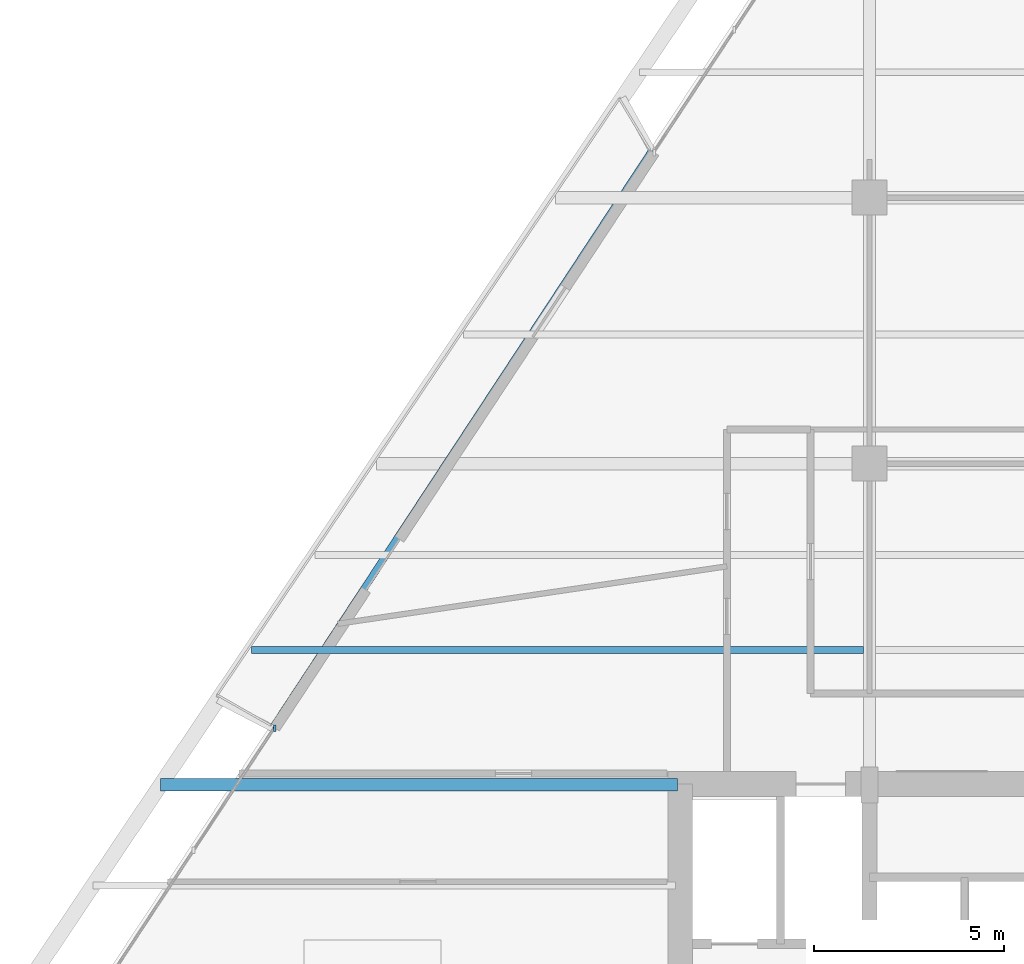
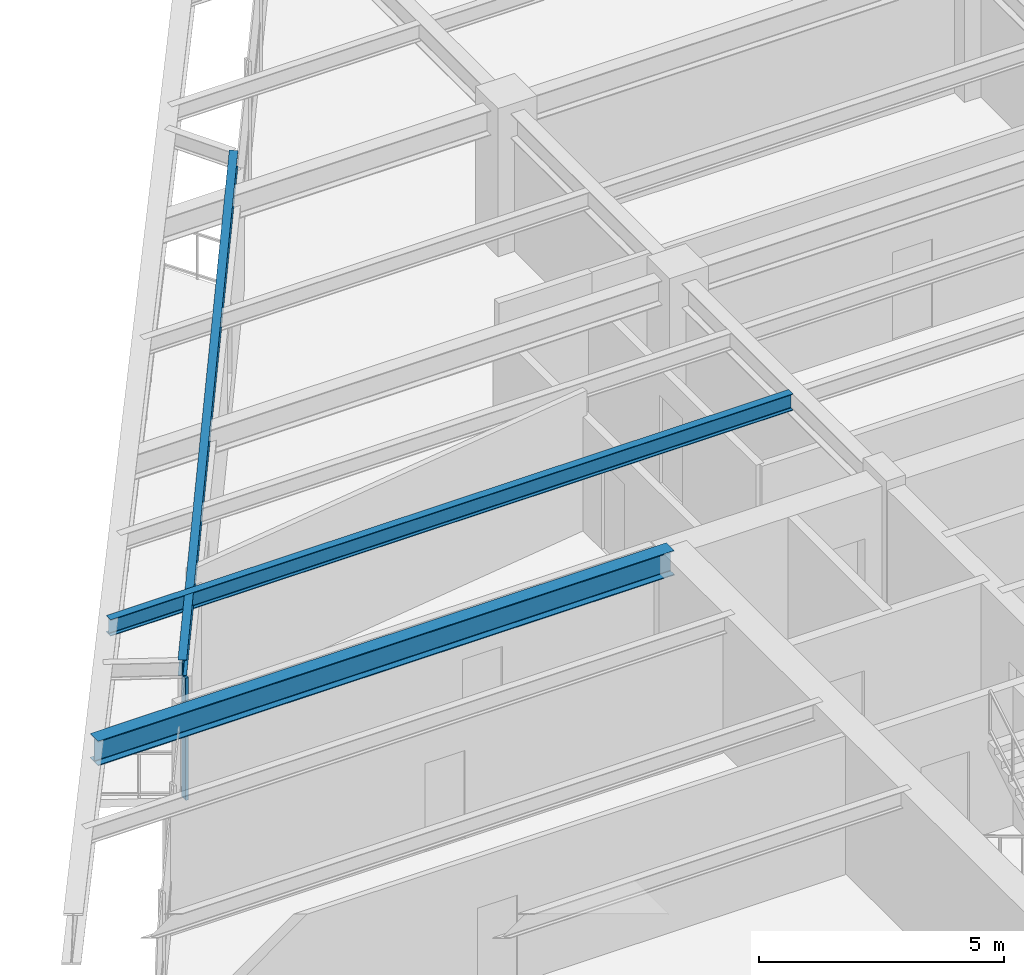
# One storey, part 4 of 14: 3 beams, 1 member, 1 element without a shape of its own.
"""IFC4 building model written with IfcOpenShell, lengths in metres."""

from ifc_helpers import new_model, si_unit, direction, frame, origin, origin_2d, place, context, subcontext, project, spatial, rectangle, i_section, extrude, source, transform, mapped, material, material_profile, profile_set, type_object, type_shapes, element, aggregate, save


model = new_model("IFC4")

# Units and contexts
model_context = context("Model", 3, precision=1e-05, world=origin(), true_north=direction((0.0, 1.0)))
body_context = subcontext(model_context, "Body", "Model", "MODEL_VIEW")
ifc_project = project(units=[si_unit("LENGTHUNIT", "METRE"), si_unit("AREAUNIT", "SQUARE_METRE"), si_unit("VOLUMEUNIT", "CUBIC_METRE"), si_unit("PLANEANGLEUNIT", "RADIAN"), si_unit("MASSUNIT", "GRAM", prefix="KILO")], contexts=[model_context])

# Site, building, storey
site_placement = place(None, origin())
site = spatial("IfcSite", under=ifc_project, at=site_placement, CompositionType="ELEMENT")
building_placement = place(site_placement, origin())
building = spatial("IfcBuilding", under=site, at=building_placement, Name="Varnakhor Terracotta Tower", CompositionType="ELEMENT")
storey_placement = place(building_placement, frame((0.0, 0.0, 125.60009765625)))
storey = spatial("IfcBuildingStorey", under=building, at=storey_placement, Name="L31", CompositionType="ELEMENT", Elevation=125.60009765625)

# Beams
ifc_material_1 = material(Name="Steel S355", Category="steel")
ifc_material_profile_1 = material_profile(ifc_material_1, i_section(OverallWidth=0.179931640625, OverallDepth=0.39990234375, WebThickness=0.008544921875, FlangeThickness=0.013427734375, FilletRadius=0.01806640625, at=origin_2d()), Name="IPE400")
ifc_profile_set_1 = profile_set([ifc_material_profile_1], Name="Steel S355")
beam_type_1 = type_object("IfcBeamType", Name="JST-IPE400", PredefinedType="JOIST", material=ifc_profile_set_1)
shared_shape_1 = source(origin(), body_context, "Body", "SweptSolid", [
    extrude(i_section(OverallWidth=0.179931640625, OverallDepth=0.39990234375, WebThickness=0.008544921875, FlangeThickness=0.013427734375, FilletRadius=0.01806640625, at=origin_2d()), origin(), (0.0, 0.0, 1.0), 18.189697265625),
])
beam_1_placement = place(storey_placement, frame((-11.218994140625, 32.742431640625, 3.27001953125), z_axis=(-0.549184046642, -0.835701431681, 0.0), x_axis=(0.835701431681, -0.549184046642, 0.0)))
element("IfcBeam", 1, at=beam_1_placement, inside=storey, type_object=beam_type_1, Name="L31 Loggia Edge Beam 2", PredefinedType="JOIST", context=body_context, shape_type="MappedRepresentation", body=[
    mapped(shared_shape_1, transform((0.0, 0.0, 0.0), scale=1.0)),
])
ifc_material_profile_2 = material_profile(ifc_material_1, i_section(OverallWidth=0.324951171875, OverallDepth=0.615966796875, WebThickness=0.013916015625, FlangeThickness=0.02197265625, FilletRadius=0.01806640625, at=origin_2d()), Name="W24X117")
ifc_profile_set_2 = profile_set([ifc_material_profile_2], Name="Steel S355")
beam_type_2 = type_object("IfcBeamType", Name="BM-W24X117", PredefinedType="BEAM", material=ifc_profile_set_2)
shared_shape_2 = source(origin(), body_context, "Body", "SweptSolid", [
    extrude(i_section(OverallWidth=0.324951171875, OverallDepth=0.615966796875, WebThickness=0.013916015625, FlangeThickness=0.02197265625, FilletRadius=0.01806640625, at=origin_2d()), origin(), (0.0, 0.0, 1.0), 13.5986328125),
])
beam_2_placement = place(storey_placement, frame((-24.148681640625, 16.050048828125, 3.161865234375), z_axis=(1.0, 0.0, 0.0), x_axis=(0.0, 1.0, 0.0)))
element("IfcBeam", 2, at=beam_2_placement, inside=storey, type_object=beam_type_2, Name="L31 Wing Girder W", PredefinedType="BEAM", context=body_context, shape_type="MappedRepresentation", body=[
    mapped(shared_shape_2, transform((0.0, 0.0, 0.0), scale=1.0)),
])
ifc_material_profile_3 = material_profile(ifc_material_1, i_section(OverallWidth=0.179931640625, OverallDepth=0.4130859375, WebThickness=0.009765625, FlangeThickness=0.01611328125, FilletRadius=0.01806640625, at=origin_2d()), Name="W16X50")
ifc_profile_set_3 = profile_set([ifc_material_profile_3], Name="Steel S355")
beam_type_3 = type_object("IfcBeamType", Name="JST-W16X50", PredefinedType="JOIST", material=ifc_profile_set_3)
shared_shape_3 = source(origin(), body_context, "Body", "SweptSolid", [
    extrude(i_section(OverallWidth=0.179931640625, OverallDepth=0.4130859375, WebThickness=0.009765625, FlangeThickness=0.01611328125, FilletRadius=0.01806640625, at=origin_2d()), origin(), (0.0, 0.0, 1.0), 16.104248046875),
])
beam_3_placement = place(storey_placement, frame((-21.7626953125, 19.60009765625, 3.263427734375), z_axis=(1.0, 0.0, 0.0), x_axis=(0.0, 1.0, 0.0)))
element("IfcBeam", 3, at=beam_3_placement, inside=storey, type_object=beam_type_3, Name="L31 Composite Floor Joist 4-1", PredefinedType="JOIST", context=body_context, shape_type="MappedRepresentation", body=[
    mapped(shared_shape_3, transform((0.0, 0.0, 0.0), scale=1.0)),
])

# Curtain wall, member
ifc_material_2 = material(Name="Anodised Aluminium Curtain Wall System", Category="aluminium")
curtain_wall_type = type_object("IfcCurtainWallType", Name="CW-SYS-MID-OFFICE", PredefinedType="NOTDEFINED", material=ifc_material_2)
curtain_wall_placement = place(storey_placement, origin())
curtain_wall = element("IfcCurtainWall", 4, at=curtain_wall_placement, inside=storey, type_object=curtain_wall_type, Name="L31 W Facet Curtain Wall 1", PredefinedType="NOTDEFINED")
ifc_material_3 = material(Name="Anodised Aluminium 6063-T6", Category="aluminium")
ifc_material_profile_4 = material_profile(ifc_material_3, rectangle(XDim=0.070068359375, YDim=0.175048828125, at=origin_2d()), Name="ALU MULLION 70x175")
ifc_profile_set_4 = profile_set([ifc_material_profile_4], Name="Anodised Aluminium 6063-T6")
member_type = type_object("IfcMemberType", Name="CWM-03", PredefinedType="MULLION", material=ifc_profile_set_4)
shared_shape_4 = source(origin(), body_context, "Body", "SweptSolid", [
    extrude(rectangle(XDim=0.070068359375, YDim=0.175048828125, at=origin_2d()), origin(), (0.0, 0.0, 1.0), 3.0498046875),
])
type_shapes(member_type, [shared_shape_4])
member_placement = place(storey_placement, frame((-21.140869140625, 17.54296875, 0.0), z_axis=(0.0, 0.0, 1.0), x_axis=(1.0, 0.0, 0.0)))
member = element("IfcMember", 5, at=member_placement, type_object=member_type, Name="L31 W Loggia Jamb Closure Mullion 1", PredefinedType="MULLION", context=body_context, shape_type="MappedRepresentation", body=[
    mapped(shared_shape_4, transform((0.0, 0.0, 0.0), scale=1.0)),
])
aggregate(curtain_wall, [member])

save(model, "model.ifc")
